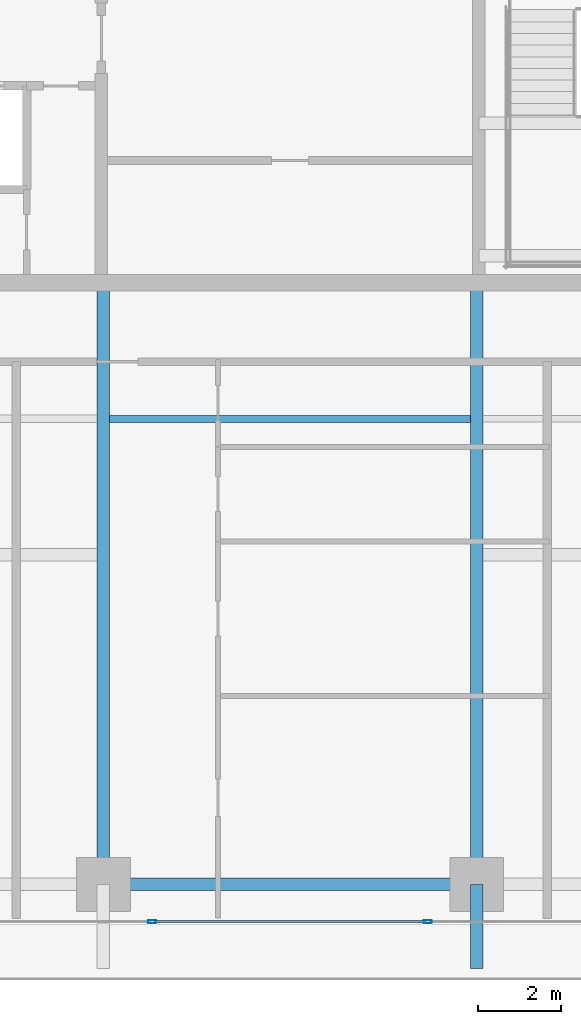
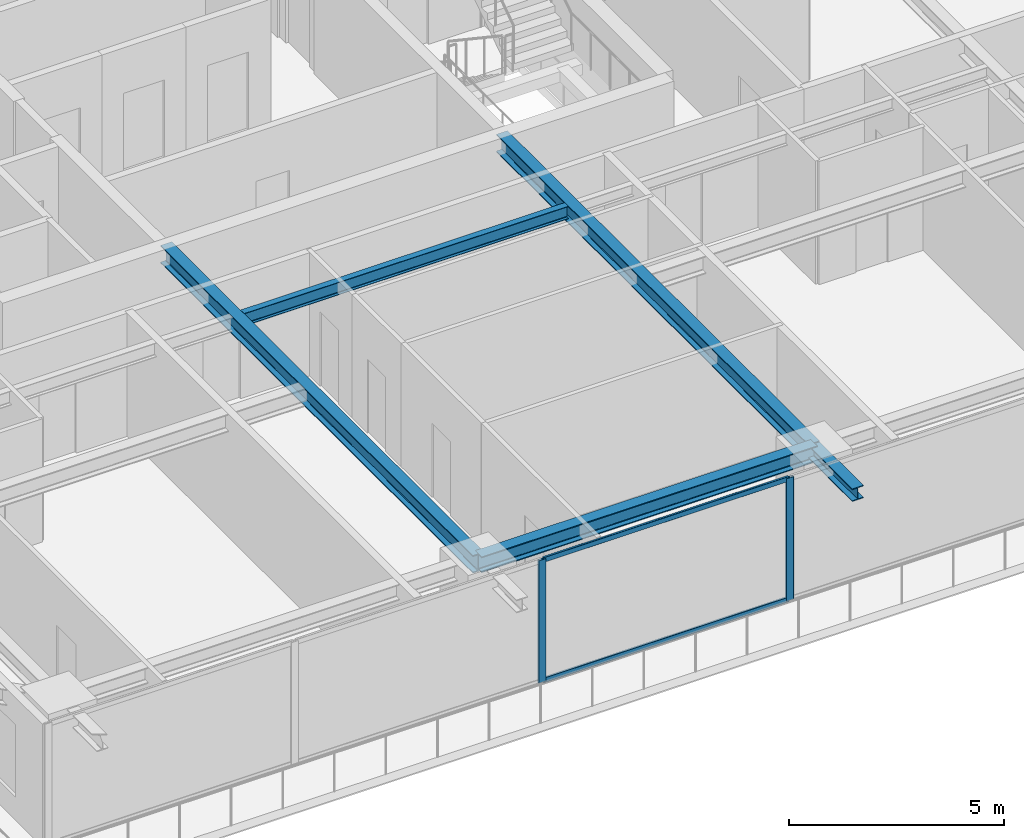
# One storey, part 5 of 33: 5 beams, 4 members, 1 element without a shape of its own.
"""IFC4 building model written with IfcOpenShell, lengths in metres."""

from ifc_helpers import new_model, si_unit, direction, frame, origin, origin_2d, place, context, subcontext, project, spatial, hollow_rectangle, i_section, extrude, source, transform, mapped, material, layer, layer_set, material_profile, profile_set, type_object, element, aggregate, save


model = new_model("IFC4")

# Units and contexts
model_context = context("Model", 3, precision=1e-05, world=origin(), true_north=direction((0.0, 1.0)))
body_context = subcontext(model_context, "Body", "Model", "MODEL_VIEW")
ifc_project = project(units=[si_unit("LENGTHUNIT", "METRE"), si_unit("AREAUNIT", "SQUARE_METRE"), si_unit("VOLUMEUNIT", "CUBIC_METRE"), si_unit("PLANEANGLEUNIT", "RADIAN"), si_unit("MASSUNIT", "GRAM", prefix="KILO")], contexts=[model_context])

# Site, building, storey
site_placement = place(None, origin())
site = spatial("IfcSite", under=ifc_project, at=site_placement, CompositionType="ELEMENT")
building_placement = place(site_placement, origin())
building = spatial("IfcBuilding", under=site, at=building_placement, Name="Serunith Strait Residences", CompositionType="ELEMENT")
storey_placement = place(building_placement, frame((0.0, 0.0, 165.14990234375)))
storey = spatial("IfcBuildingStorey", under=building, at=storey_placement, Name="L41", CompositionType="ELEMENT", Elevation=165.14990234375)

# Beams
ifc_material_1 = material(Name="Steel S355J2", Category="steel")
ifc_material_profile_1 = material_profile(ifc_material_1, i_section(OverallWidth=0.169921875, OverallDepth=0.360107421875, WebThickness=0.008056640625, FlangeThickness=0.0126953125, FilletRadius=0.01806640625, at=origin_2d()), Name="IPE 360")
ifc_profile_set_1 = profile_set([ifc_material_profile_1], Name="Steel S355J2")
beam_type_1 = type_object("IfcBeamType", Name="BM-IPE360", PredefinedType="JOIST", material=ifc_profile_set_1)
shared_shape_1 = source(origin(), body_context, "Body", "SweptSolid", [
    extrude(i_section(OverallWidth=0.169921875, OverallDepth=0.360107421875, WebThickness=0.008056640625, FlangeThickness=0.0126953125, FilletRadius=0.01806640625, at=origin_2d()), origin(), (0.0, 0.0, 1.0), 8.699951171875),
])
beam_1_placement = place(storey_placement, frame((28.050048828125, 13.52490234375, 3.30712890625), z_axis=(1.0, 0.0, 0.0), x_axis=(0.0, 1.0, 0.0)))
element("IfcBeam", 1, at=beam_1_placement, inside=storey, type_object=beam_type_1, Name="L41 Composite Floor Joist 02", PredefinedType="JOIST", context=body_context, shape_type="MappedRepresentation", body=[
    mapped(shared_shape_1, transform((0.0, 0.0, 0.0), scale=1.0)),
])
ifc_material_profile_2 = material_profile(ifc_material_1, i_section(OverallWidth=0.300048828125, OverallDepth=0.449951171875, WebThickness=0.013916015625, FlangeThickness=0.02587890625, FilletRadius=0.027099609375, at=origin_2d()), Name="HEB 450")
ifc_profile_set_2 = profile_set([ifc_material_profile_2], Name="Steel S355J2")
beam_type_2 = type_object("IfcBeamType", Name="BM-HEB450", PredefinedType="BEAM", material=ifc_profile_set_2)
shared_shape_2 = source(origin(), body_context, "Body", "SweptSolid", [
    extrude(i_section(OverallWidth=0.300048828125, OverallDepth=0.449951171875, WebThickness=0.013916015625, FlangeThickness=0.02587890625, FilletRadius=0.027099609375, at=origin_2d()), origin(), (0.0, 0.0, 1.0), 9.0),
])
beam_2_placement = place(storey_placement, frame((27.89990234375, 2.300048828125, 3.26220703125), z_axis=(1.0, 0.0, 0.0), x_axis=(0.0, 1.0, 0.0)))
element("IfcBeam", 2, at=beam_2_placement, inside=storey, type_object=beam_type_2, Name="L41 Perimeter Ring Beam 02", PredefinedType="BEAM", context=body_context, shape_type="MappedRepresentation", body=[
    mapped(shared_shape_2, transform((0.0, 0.0, 0.0), scale=1.0)),
])
ifc_material_profile_3 = material_profile(ifc_material_1, i_section(OverallWidth=0.300048828125, OverallDepth=0.5, WebThickness=0.014404296875, FlangeThickness=0.028076171875, FilletRadius=0.027099609375, at=origin_2d()), Name="HEB 500")
ifc_profile_set_3 = profile_set([ifc_material_profile_3], Name="Steel S355J2")
beam_type_3 = type_object("IfcBeamType", Name="BM-HEB500", PredefinedType="BEAM", material=ifc_profile_set_3)
shared_shape_3 = source(origin(), body_context, "Body", "SweptSolid", [
    extrude(i_section(OverallWidth=0.300048828125, OverallDepth=0.5, WebThickness=0.014404296875, FlangeThickness=0.028076171875, FilletRadius=0.027099609375, at=origin_2d()), origin(), (0.0, 0.0, 1.0), 14.5),
])
for number, where, z_axis, x_axis, name in (
    (3, (27.89990234375, 16.800048828125, 3.237060546875), (0.0, -1.0, 0.0), (1.0, 0.0, 0.0), "L41 Primary Floor Girder TC-S2"),
    (4, (36.89990234375, 16.800048828125, 3.237060546875), (0.0, -1.0, 0.0), (1.0, 0.0, 0.0), "L41 Primary Floor Girder TC-S3"),
):
    element("IfcBeam", number, at=place(storey_placement, frame(where, z_axis=z_axis, x_axis=x_axis)), inside=storey, type_object=beam_type_3, Name=name, PredefinedType="BEAM", context=body_context, shape_type="MappedRepresentation", body=[
        mapped(shared_shape_3, transform((0.0, 0.0, 0.0), scale=1.0)),
    ])
ifc_material_profile_4 = material_profile(ifc_material_1, i_section(OverallWidth=0.300048828125, OverallDepth=0.360107421875, WebThickness=0.012451171875, FlangeThickness=0.0224609375, FilletRadius=0.027099609375, at=origin_2d()), Name="HEB 360")
ifc_profile_set_4 = profile_set([ifc_material_profile_4], Name="Steel S355J2")
beam_type_4 = type_object("IfcBeamType", Name="BM-HEB360", PredefinedType="BEAM", material=ifc_profile_set_4)
shared_shape_4 = source(origin(), body_context, "Body", "SweptSolid", [
    extrude(i_section(OverallWidth=0.300048828125, OverallDepth=0.360107421875, WebThickness=0.012451171875, FlangeThickness=0.0224609375, FilletRadius=0.027099609375, at=origin_2d()), origin(), (0.0, 0.0, 1.0), 2.030029296875),
])
beam_3_placement = place(storey_placement, frame((36.89990234375, 2.300048828125, 3.277099609375), z_axis=(0.0, -1.0, 0.0), x_axis=(1.0, 0.0, 0.0)))
element("IfcBeam", 5, at=beam_3_placement, inside=storey, type_object=beam_type_4, Name="L42 Cantilevered Balcony Rib TC-S3", PredefinedType="BEAM", context=body_context, shape_type="MappedRepresentation", body=[
    mapped(shared_shape_4, transform((0.0, 0.0, 0.0), scale=1.0)),
])

# Curtain wall, members
ifc_material_2 = material(Name="Pale-Champagne Anodised Aluminium", Category="aluminium")
ifc_layer = layer(ifc_material_2, 0.199951171875, Name="Pale-Champagne Anodised Aluminium")
ifc_layer_set = layer_set([ifc_layer], Name="Pale-Champagne Anodised Aluminium")
curtain_wall_type = type_object("IfcCurtainWallType", Name="CW-SYS2", PredefinedType="NOTDEFINED", material=ifc_layer_set)
curtain_wall_placement = place(storey_placement, origin())
curtain_wall = element("IfcCurtainWall", 6, at=curtain_wall_placement, inside=storey, type_object=curtain_wall_type, Name="L41 S Unitised Fritted Curtain Wall", PredefinedType="NOTDEFINED")
ifc_material_profile_5 = material_profile(ifc_material_2, hollow_rectangle(XDim=0.070068359375, YDim=0.199951171875, WallThickness=0.00390625, InnerFilletRadius=0.006103515625, OuterFilletRadius=0.010009765625, at=origin_2d()), Name="ALU 200x70x4")
ifc_profile_set_5 = profile_set([ifc_material_profile_5], Name="Pale-Champagne Anodised Aluminium")
member_type_1 = type_object("IfcMemberType", Name="CW-SYS2-MULL", PredefinedType="MULLION", material=ifc_profile_set_5)
shared_shape_5 = source(origin(), body_context, "Body", "SweptSolid", [
    extrude(hollow_rectangle(XDim=0.070068359375, YDim=0.199951171875, WallThickness=0.00390625, InnerFilletRadius=0.006103515625, OuterFilletRadius=0.010009765625, at=origin_2d()), origin(), (0.0, 0.0, 1.0), 3.47509765625),
])
member_1_placement = place(storey_placement, frame((29.080078125, 1.39990234375, 0.0), z_axis=(0.0, 0.0, 1.0), x_axis=(0.0, 1.0, 0.0)))
member_1 = element("IfcMember", 7, at=member_1_placement, type_object=member_type_1, Name="CW-2 mullion 3", PredefinedType="MULLION", context=body_context, shape_type="MappedRepresentation", body=[
    mapped(shared_shape_5, transform((0.0, 0.0, 0.0), scale=1.0)),
])
member_2_placement = place(storey_placement, frame((35.719970703125, 1.39990234375, 0.0), z_axis=(0.0, 0.0, 1.0), x_axis=(0.0, 1.0, 0.0)))
member_2 = element("IfcMember", 8, at=member_2_placement, type_object=member_type_1, Name="CW-2 mullion 4", PredefinedType="MULLION", context=body_context, shape_type="MappedRepresentation", body=[
    mapped(shared_shape_5, transform((0.0, 0.0, 0.0), scale=1.0)),
])
ifc_material_profile_6 = material_profile(ifc_material_2, hollow_rectangle(XDim=0.06005859375, YDim=0.139892578125, WallThickness=0.00341796875, InnerFilletRadius=0.00537109375, OuterFilletRadius=0.0087890625, at=origin_2d()), Name="ALU 140x60x3.5")
ifc_profile_set_6 = profile_set([ifc_material_profile_6], Name="Pale-Champagne Anodised Aluminium")
member_type_2 = type_object("IfcMemberType", Name="CW-SYS2-TRAN", PredefinedType="USERDEFINED", material=ifc_profile_set_6)
shared_shape_6 = source(origin(), body_context, "Body", "SweptSolid", [
    extrude(hollow_rectangle(XDim=0.06005859375, YDim=0.139892578125, WallThickness=0.00341796875, InnerFilletRadius=0.00537109375, OuterFilletRadius=0.0087890625, at=origin_2d()), origin(), (0.0, 0.0, 1.0), 6.570068359375),
])
member_3_placement = place(storey_placement, frame((29.114990234375, 1.39990234375, 0.030029296875), z_axis=(1.0, 0.0, 0.0), x_axis=(0.0, 1.0, 0.0)))
member_3 = element("IfcMember", 9, at=member_3_placement, type_object=member_type_2, Name="CW-2 transom 3.1", ObjectType="TRANSOM", PredefinedType="USERDEFINED", context=body_context, shape_type="MappedRepresentation", body=[
    mapped(shared_shape_6, transform((0.0, 0.0, 0.0), scale=1.0)),
])
member_4_placement = place(storey_placement, frame((29.114990234375, 1.39990234375, 3.445068359375), z_axis=(1.0, 0.0, 0.0), x_axis=(0.0, 1.0, 0.0)))
member_4 = element("IfcMember", 10, at=member_4_placement, type_object=member_type_2, Name="CW-2 transom 3.2", ObjectType="TRANSOM", PredefinedType="USERDEFINED", context=body_context, shape_type="MappedRepresentation", body=[
    mapped(shared_shape_6, transform((0.0, 0.0, 0.0), scale=1.0)),
])
aggregate(curtain_wall, [member_1, member_2, member_3, member_4])

save(model, "model.ifc")
